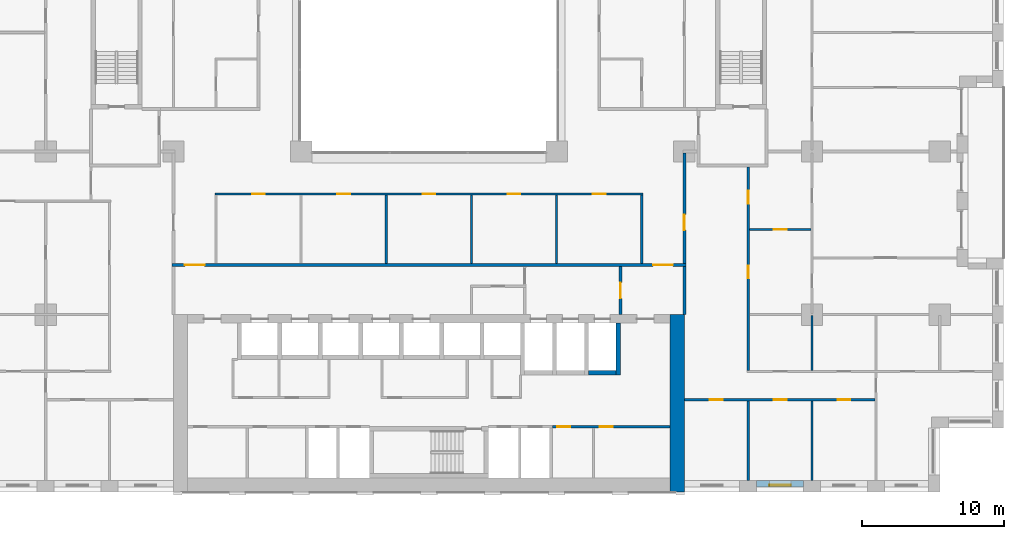
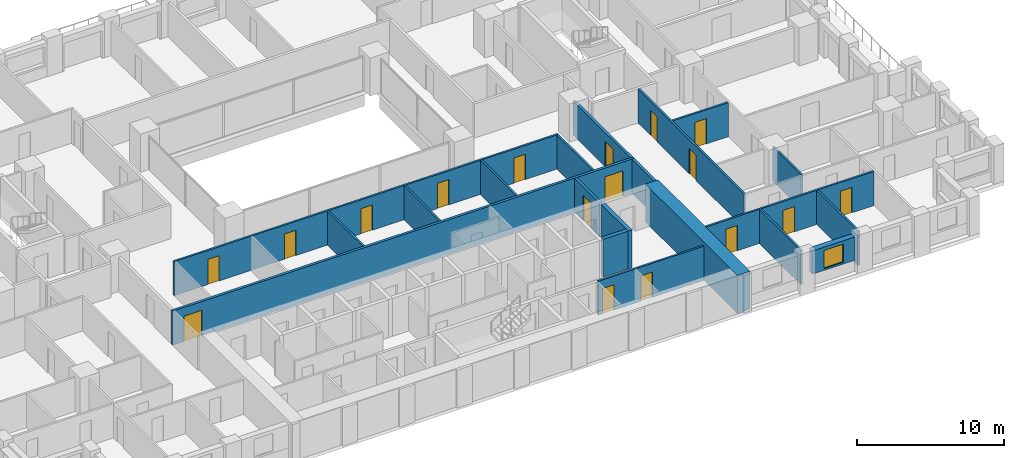
# One storey, part 12 of 19: 20 walls, 17 doors, 1 window, 18 openings.
"""IFC4 building model written with IfcOpenShell, lengths in metres."""

from ifc_helpers import new_model, si_unit, direction, frame, frame_2d, origin, place, context, subcontext, project, spatial, rectangle, extrude, material, layer, layer_set, type_object, element, fill, save


model = new_model("IFC4")

# Units and contexts
model_context = context("Model", 3, precision=1e-05, world=origin(), true_north=direction((0.0, 1.0)))
body_context = subcontext(model_context, "Body", "Model", "MODEL_VIEW")
ifc_project = project(units=[si_unit("LENGTHUNIT", "METRE"), si_unit("AREAUNIT", "SQUARE_METRE"), si_unit("VOLUMEUNIT", "CUBIC_METRE"), si_unit("PLANEANGLEUNIT", "RADIAN"), si_unit("MASSUNIT", "GRAM", prefix="KILO")], contexts=[model_context])

# Site, building, storey
site_placement = place(None, origin())
site = spatial("IfcSite", under=ifc_project, at=site_placement, CompositionType="ELEMENT")
building_placement = place(site_placement, origin())
building = spatial("IfcBuilding", under=site, at=building_placement, Name="Brigalow Station Residences", CompositionType="ELEMENT")
storey_placement = place(building_placement, frame((0.0, 0.0, 19.5)))
storey = spatial("IfcBuildingStorey", under=building, at=storey_placement, Name="L04", CompositionType="ELEMENT", Elevation=19.5)

# Wall, opening, window
ifc_material_1 = material(Name="Clay brick masonry", Category="masonry")
ifc_layer_1 = layer(ifc_material_1, 0.449951171875)
ifc_layer_set_1 = layer_set([ifc_layer_1], Name="BRICK INFILL WALL 450")
wall_type_1 = type_object("IfcWallType", Name="BRICK INFILL WALL 450", PredefinedType="SOLIDWALL", material=ifc_layer_set_1)
wall_1_placement = place(storey_placement, frame((59.10009765625, 0.574951171875, 0.89990234375), z_axis=(0.0, 0.0, 1.0), x_axis=(1.0, 0.0, 0.0)))
wall_1 = element("IfcWall", 1, at=wall_1_placement, inside=storey, type_object=wall_type_1, Name="L04/ewall/W-L04-6", PredefinedType="SOLIDWALL", context=body_context, shape_type="SweptSolid", body=[
    extrude(rectangle(XDim=3.2998046875, YDim=0.449951171875, at=frame_2d((1.64990234375, 0.0))), origin(), (0.0, 0.0, 1.0), 1.93017578125),
])
opening_1_placement = place(wall_1_placement, frame((0.89990234375, 0.0, 0.14990234375)))
opening_1 = element("IfcOpeningElement", 2, at=opening_1_placement, cuts=wall_1, Name="Opening WT-1", PredefinedType="OPENING", context=body_context, shape_type="SweptSolid", body=[
    extrude(rectangle(XDim=1.5, YDim=1.5, at=frame_2d((0.75, 0.75))), frame((0.0, 0.23486328125, 0.0), z_axis=(0.0, -1.0, 0.0), x_axis=(1.0, 0.0, 0.0)), (0.0, 0.0, 1.0), 0.469970703125),
])
ifc_material_2 = material(Name="Anodised aluminium frame with double glazing", Category="aluminium")
window_type = type_object("IfcWindowType", Name="WINDOW 1500x1500", PartitioningType="SINGLE_PANEL", PredefinedType="WINDOW", material=ifc_material_2)
window_placement = place(opening_1_placement, origin())
window = element("IfcWindow", 3, at=window_placement, inside=storey, type_object=window_type, Name="L04/window/W-L04-6", OverallHeight=1.5, OverallWidth=1.5, PartitioningType="SINGLE_PANEL", PredefinedType="WINDOW", context=body_context, shape_type="SweptSolid", body=[
    extrude(rectangle(XDim=1.5, YDim=1.5, at=frame_2d((0.75, 0.75))), frame((0.0, -0.06494140625, 0.0), z_axis=(0.0, -1.0, 0.0), x_axis=(1.0, 0.0, 0.0)), (0.0, 0.0, 1.0), 0.06005859375),
])
fill(opening_1, window)

# Walls
ifc_material_3 = material(Name="Concrete C80", Category="concrete")
ifc_layer_2 = layer(ifc_material_3, 1.0)
ifc_layer_set_2 = layer_set([ifc_layer_2], Name="CORE SHEAR WALL 1000 C80")
wall_type_2 = type_object("IfcWallType", Name="CORE SHEAR WALL 1000 C80", PredefinedType="SHEAR", material=ifc_layer_set_2)
wall_2_placement = place(storey_placement, frame((53.5, 0.0, 0.0), z_axis=(0.0, 0.0, 1.0), x_axis=(0.0, 1.0, 0.0)))
element("IfcWall", 4, at=wall_2_placement, inside=storey, type_object=wall_type_2, Name="CORE WALL OUT-E L04", PredefinedType="SHEAR", context=body_context, shape_type="SweptSolid", body=[
    extrude(rectangle(XDim=12.5, YDim=1.0, at=frame_2d((6.25, 0.0))), origin(), (0.0, 0.0, 1.0), 3.14990234375),
])
ifc_material_4 = material(Name="Concrete C80", Category="concrete")
ifc_layer_3 = layer(ifc_material_4, 0.300048828125)
ifc_layer_set_3 = layer_set([ifc_layer_3], Name="CORE SHEAR WALL 300 C80")
wall_type_3 = type_object("IfcWallType", Name="CORE SHEAR WALL 300 C80", PredefinedType="SHEAR", material=ifc_layer_set_3)
wall_3_placement = place(storey_placement, frame((47.25, 8.39990234375, 0.0), z_axis=(0.0, 0.0, 1.0), x_axis=(1.0, 0.0, 0.0)))
element("IfcWall", 5, at=wall_3_placement, inside=storey, type_object=wall_type_3, Name="CORE WALL SH-SL1-S L04", PredefinedType="SHEAR", context=body_context, shape_type="SweptSolid", body=[
    extrude(rectangle(XDim=1.949951171875, YDim=0.300048828125, at=frame_2d((0.97509765625, 0.0))), origin(), (0.0, 0.0, 1.0), 3.14990234375),
])
wall_4_placement = place(storey_placement, frame((49.35009765625, 8.25, 0.0), z_axis=(0.0, 0.0, 1.0), x_axis=(0.0, 1.0, 0.0)))
element("IfcWall", 6, at=wall_4_placement, inside=storey, type_object=wall_type_3, Name="CORE WALL SH-SL1-E L04", PredefinedType="SHEAR", context=body_context, shape_type="SweptSolid", body=[
    extrude(rectangle(XDim=3.64990234375, YDim=0.300048828125, at=frame_2d((1.824951171875, 0.0))), origin(), (0.0, 0.0, 1.0), 3.14990234375),
])

# Wall, opening, door
ifc_material_5 = material(Name="Concrete blockwork", Category="masonry")
ifc_layer_4 = layer(ifc_material_5, 0.199951171875)
ifc_layer_set_4 = layer_set([ifc_layer_4], Name="FIRE RATED CORE PARTITION 200")
wall_type_4 = type_object("IfcWallType", Name="FIRE RATED CORE PARTITION 200", PredefinedType="PARTITIONING", material=ifc_layer_set_4)
wall_5_placement = place(storey_placement, frame((49.5, 12.5, 0.0), z_axis=(0.0, 0.0, 1.0), x_axis=(0.0, 1.0, 0.0)))
wall_5 = element("IfcWall", 7, at=wall_5_placement, inside=storey, type_object=wall_type_4, Name="PW-5015", PredefinedType="PARTITIONING", context=body_context, shape_type="SweptSolid", body=[
    extrude(rectangle(XDim=3.39990234375, YDim=0.199951171875, at=frame_2d((1.699951171875, 0.0))), origin(), (0.0, 0.0, 1.0), 2.830078125),
])
opening_2_placement = place(wall_5_placement, frame((1.14990234375, 0.0, 0.0)))
opening_2 = element("IfcOpeningElement", 8, at=opening_2_placement, cuts=wall_5, Name="Opening D-5014", PredefinedType="OPENING", context=body_context, shape_type="SweptSolid", body=[
    extrude(rectangle(XDim=1.10009765625, YDim=2.10009765625, at=frame_2d((0.550048828125, 1.050048828125))), frame((0.0, 0.10986328125, 0.0), z_axis=(0.0, -1.0, 0.0), x_axis=(1.0, 0.0, 0.0)), (0.0, 0.0, 1.0), 0.219970703125),
])
ifc_material_6 = material(Name="Steel fire door leaf in steel frame", Category="steel")
door_type_1 = type_object("IfcDoorType", Name="LOBBY DOOR 1100 x 2100 FD60S", OperationType="SINGLE_SWING_LEFT", PredefinedType="DOOR", material=ifc_material_6)
door_1_placement = place(opening_2_placement, origin())
door_1 = element("IfcDoor", 9, at=door_1_placement, inside=storey, type_object=door_type_1, Name="D-5014", OperationType="SINGLE_SWING_LEFT", OverallHeight=2.10009765625, OverallWidth=1.10009765625, PredefinedType="DOOR", context=body_context, shape_type="SweptSolid", body=[
    extrude(rectangle(XDim=1.10009765625, YDim=2.10009765625, at=frame_2d((0.550048828125, 1.050048828125))), frame((0.0, 0.02490234375, 0.0), z_axis=(0.0, -1.0, 0.0), x_axis=(1.0, 0.0, 0.0)), (0.0, 0.0, 1.0), 0.050048828125),
])
fill(opening_2, door_1)

# Wall
wall_6_placement = place(storey_placement, frame((54.0, 12.5, 0.0), z_axis=(0.0, 0.0, 1.0), x_axis=(0.0, 1.0, 0.0)))
element("IfcWall", 10, at=wall_6_placement, inside=storey, type_object=wall_type_4, Name="PW-5016", PredefinedType="PARTITIONING", context=body_context, shape_type="SweptSolid", body=[
    extrude(rectangle(XDim=3.39990234375, YDim=0.199951171875, at=frame_2d((1.699951171875, 0.0))), origin(), (0.0, 0.0, 1.0), 2.830078125),
])

# Wall, openings, doors
ifc_material_7 = material(Name="Plasterboard on steel stud partition", Category="steel")
ifc_layer_5 = layer(ifc_material_7, 0.14990234375)
ifc_layer_set_5 = layer_set([ifc_layer_5], Name="FLAT PARTITION 150")
wall_type_5 = type_object("IfcWallType", Name="FLAT PARTITION 150", PredefinedType="PARTITIONING", material=ifc_layer_set_5)
wall_7_placement = place(storey_placement, frame((20.925048828125, 21.0, 0.0), z_axis=(0.0, 0.0, 1.0), x_axis=(1.0, 0.0, 0.0)))
wall_7 = element("IfcWall", 11, at=wall_7_placement, inside=storey, type_object=wall_type_5, Name="PW-1A01", PredefinedType="PARTITIONING", context=body_context, shape_type="SweptSolid", body=[
    extrude(rectangle(XDim=30.14990234375, YDim=0.14990234375, at=frame_2d((15.074951171875, 0.0))), origin(), (0.0, 0.0, 1.0), 2.830078125),
])
opening_3_placement = place(wall_7_placement, frame((2.625, 0.0, 0.0)))
opening_3 = element("IfcOpeningElement", 12, at=opening_3_placement, cuts=wall_7, Name="Opening D-1A63", PredefinedType="OPENING", context=body_context, shape_type="SweptSolid", body=[
    extrude(rectangle(XDim=0.89990234375, YDim=2.10009765625, at=frame_2d((0.449951171875, 1.050048828125))), frame((0.0, 0.0849609375, 0.0), z_axis=(0.0, -1.0, 0.0), x_axis=(1.0, 0.0, 0.0)), (0.0, 0.0, 1.0), 0.169921875),
])
opening_4_placement = place(wall_7_placement, frame((8.625, 0.0, 0.0)))
opening_4 = element("IfcOpeningElement", 13, at=opening_4_placement, cuts=wall_7, Name="Opening D-1A64", PredefinedType="OPENING", context=body_context, shape_type="SweptSolid", body=[
    extrude(rectangle(XDim=0.89990234375, YDim=2.10009765625, at=frame_2d((0.449951171875, 1.050048828125))), frame((0.0, 0.0849609375, 0.0), z_axis=(0.0, -1.0, 0.0), x_axis=(1.0, 0.0, 0.0)), (0.0, 0.0, 1.0), 0.169921875),
])
opening_5_placement = place(wall_7_placement, frame((14.625, 0.0, 0.0)))
opening_5 = element("IfcOpeningElement", 14, at=opening_5_placement, cuts=wall_7, Name="Opening D-1A65", PredefinedType="OPENING", context=body_context, shape_type="SweptSolid", body=[
    extrude(rectangle(XDim=0.89990234375, YDim=2.10009765625, at=frame_2d((0.449951171875, 1.050048828125))), frame((0.0, 0.0849609375, 0.0), z_axis=(0.0, -1.0, 0.0), x_axis=(1.0, 0.0, 0.0)), (0.0, 0.0, 1.0), 0.169921875),
])
opening_6_placement = place(wall_7_placement, frame((20.625, 0.0, 0.0)))
opening_6 = element("IfcOpeningElement", 15, at=opening_6_placement, cuts=wall_7, Name="Opening D-1A66", PredefinedType="OPENING", context=body_context, shape_type="SweptSolid", body=[
    extrude(rectangle(XDim=0.89990234375, YDim=2.10009765625, at=frame_2d((0.449951171875, 1.050048828125))), frame((0.0, 0.0849609375, 0.0), z_axis=(0.0, -1.0, 0.0), x_axis=(1.0, 0.0, 0.0)), (0.0, 0.0, 1.0), 0.169921875),
])
opening_7_placement = place(wall_7_placement, frame((26.625, 0.0, 0.0)))
opening_7 = element("IfcOpeningElement", 16, at=opening_7_placement, cuts=wall_7, Name="Opening D-1A67", PredefinedType="OPENING", context=body_context, shape_type="SweptSolid", body=[
    extrude(rectangle(XDim=0.89990234375, YDim=2.10009765625, at=frame_2d((0.449951171875, 1.050048828125))), frame((0.0, 0.0849609375, 0.0), z_axis=(0.0, -1.0, 0.0), x_axis=(1.0, 0.0, 0.0)), (0.0, 0.0, 1.0), 0.169921875),
])
ifc_material_8 = material(Name="Solid-core timber door leaf", Category="wood")
door_type_2 = type_object("IfcDoorType", Name="INTERNAL DOOR 900 x 2100", OperationType="SINGLE_SWING_LEFT", PredefinedType="DOOR", material=ifc_material_8)
door_2_placement = place(opening_3_placement, frame((0.89990234375, 0.0, 0.0), z_axis=(0.0, 0.0, 1.0), x_axis=(-1.0, 0.0, 0.0)))
door_2 = element("IfcDoor", 17, at=door_2_placement, inside=storey, type_object=door_type_2, Name="D-1A63", OperationType="SINGLE_SWING_LEFT", OverallHeight=2.10009765625, OverallWidth=0.89990234375, PredefinedType="DOOR", context=body_context, shape_type="SweptSolid", body=[
    extrude(rectangle(XDim=0.89990234375, YDim=2.10009765625, at=frame_2d((0.449951171875, 1.050048828125))), frame((0.0, 0.02490234375, 0.0), z_axis=(0.0, -1.0, 0.0), x_axis=(1.0, 0.0, 0.0)), (0.0, 0.0, 1.0), 0.050048828125),
])
fill(opening_3, door_2)
door_3_placement = place(opening_4_placement, frame((0.89990234375, 0.0, 0.0), z_axis=(0.0, 0.0, 1.0), x_axis=(-1.0, 0.0, 0.0)))
door_3 = element("IfcDoor", 18, at=door_3_placement, inside=storey, type_object=door_type_2, Name="D-1A64", OperationType="SINGLE_SWING_LEFT", OverallHeight=2.10009765625, OverallWidth=0.89990234375, PredefinedType="DOOR", context=body_context, shape_type="SweptSolid", body=[
    extrude(rectangle(XDim=0.89990234375, YDim=2.10009765625, at=frame_2d((0.449951171875, 1.050048828125))), frame((0.0, 0.02490234375, 0.0), z_axis=(0.0, -1.0, 0.0), x_axis=(1.0, 0.0, 0.0)), (0.0, 0.0, 1.0), 0.050048828125),
])
fill(opening_4, door_3)
door_4_placement = place(opening_5_placement, frame((0.89990234375, 0.0, 0.0), z_axis=(0.0, 0.0, 1.0), x_axis=(-1.0, 0.0, 0.0)))
door_4 = element("IfcDoor", 19, at=door_4_placement, inside=storey, type_object=door_type_2, Name="D-1A65", OperationType="SINGLE_SWING_RIGHT", OverallHeight=2.10009765625, OverallWidth=0.89990234375, PredefinedType="DOOR", context=body_context, shape_type="SweptSolid", body=[
    extrude(rectangle(XDim=0.89990234375, YDim=2.10009765625, at=frame_2d((0.449951171875, 1.050048828125))), frame((0.0, 0.02490234375, 0.0), z_axis=(0.0, -1.0, 0.0), x_axis=(1.0, 0.0, 0.0)), (0.0, 0.0, 1.0), 0.050048828125),
])
fill(opening_5, door_4)
door_5_placement = place(opening_6_placement, frame((0.89990234375, 0.0, 0.0), z_axis=(0.0, 0.0, 1.0), x_axis=(-1.0, 0.0, 0.0)))
door_5 = element("IfcDoor", 20, at=door_5_placement, inside=storey, type_object=door_type_2, Name="D-1A66", OperationType="SINGLE_SWING_LEFT", OverallHeight=2.10009765625, OverallWidth=0.89990234375, PredefinedType="DOOR", context=body_context, shape_type="SweptSolid", body=[
    extrude(rectangle(XDim=0.89990234375, YDim=2.10009765625, at=frame_2d((0.449951171875, 1.050048828125))), frame((0.0, 0.02490234375, 0.0), z_axis=(0.0, -1.0, 0.0), x_axis=(1.0, 0.0, 0.0)), (0.0, 0.0, 1.0), 0.050048828125),
])
fill(opening_6, door_5)
door_6_placement = place(opening_7_placement, frame((0.89990234375, 0.0, 0.0), z_axis=(0.0, 0.0, 1.0), x_axis=(-1.0, 0.0, 0.0)))
door_6 = element("IfcDoor", 21, at=door_6_placement, inside=storey, type_object=door_type_2, Name="D-1A67", OperationType="SINGLE_SWING_LEFT", OverallHeight=2.10009765625, OverallWidth=0.89990234375, PredefinedType="DOOR", context=body_context, shape_type="SweptSolid", body=[
    extrude(rectangle(XDim=0.89990234375, YDim=2.10009765625, at=frame_2d((0.449951171875, 1.050048828125))), frame((0.0, 0.02490234375, 0.0), z_axis=(0.0, -1.0, 0.0), x_axis=(1.0, 0.0, 0.0)), (0.0, 0.0, 1.0), 0.050048828125),
])
fill(opening_7, door_6)

wall_8_placement = place(storey_placement, frame((54.0, 6.5, 0.0), z_axis=(0.0, 0.0, 1.0), x_axis=(1.0, 0.0, 0.0)))
wall_8 = element("IfcWall", 22, at=wall_8_placement, inside=storey, type_object=wall_type_5, Name="PW-1A14", PredefinedType="PARTITIONING", context=body_context, shape_type="SweptSolid", body=[
    extrude(rectangle(XDim=13.425048828125, YDim=0.14990234375, at=frame_2d((6.71240234375, 0.0))), origin(), (0.0, 0.0, 1.0), 2.830078125),
])
opening_8_placement = place(wall_8_placement, frame((1.800048828125, 0.0, 0.0)))
opening_8 = element("IfcOpeningElement", 23, at=opening_8_placement, cuts=wall_8, Name="Opening D-1A30", PredefinedType="OPENING", context=body_context, shape_type="SweptSolid", body=[
    extrude(rectangle(XDim=0.89990234375, YDim=2.10009765625, at=frame_2d((0.449951171875, 1.050048828125))), frame((0.0, 0.0849609375, 0.0), z_axis=(0.0, -1.0, 0.0), x_axis=(1.0, 0.0, 0.0)), (0.0, 0.0, 1.0), 0.169921875),
])
opening_9_placement = place(wall_8_placement, frame((6.300048828125, 0.0, 0.0)))
opening_9 = element("IfcOpeningElement", 24, at=opening_9_placement, cuts=wall_8, Name="Opening D-1A31", PredefinedType="OPENING", context=body_context, shape_type="SweptSolid", body=[
    extrude(rectangle(XDim=0.89990234375, YDim=2.10009765625, at=frame_2d((0.449951171875, 1.050048828125))), frame((0.0, 0.0849609375, 0.0), z_axis=(0.0, -1.0, 0.0), x_axis=(1.0, 0.0, 0.0)), (0.0, 0.0, 1.0), 0.169921875),
])
opening_10_placement = place(wall_8_placement, frame((10.800048828125, 0.0, 0.0)))
opening_10 = element("IfcOpeningElement", 25, at=opening_10_placement, cuts=wall_8, Name="Opening D-1A32", PredefinedType="OPENING", context=body_context, shape_type="SweptSolid", body=[
    extrude(rectangle(XDim=0.89990234375, YDim=2.10009765625, at=frame_2d((0.449951171875, 1.050048828125))), frame((0.0, 0.0849609375, 0.0), z_axis=(0.0, -1.0, 0.0), x_axis=(1.0, 0.0, 0.0)), (0.0, 0.0, 1.0), 0.169921875),
])
door_7_placement = place(opening_8_placement, frame((0.89990234375, 0.0, 0.0), z_axis=(0.0, 0.0, 1.0), x_axis=(-1.0, 0.0, 0.0)))
door_7 = element("IfcDoor", 26, at=door_7_placement, inside=storey, type_object=door_type_2, Name="D-1A30", OperationType="SINGLE_SWING_LEFT", OverallHeight=2.10009765625, OverallWidth=0.89990234375, PredefinedType="DOOR", context=body_context, shape_type="SweptSolid", body=[
    extrude(rectangle(XDim=0.89990234375, YDim=2.10009765625, at=frame_2d((0.449951171875, 1.050048828125))), frame((0.0, 0.02490234375, 0.0), z_axis=(0.0, -1.0, 0.0), x_axis=(1.0, 0.0, 0.0)), (0.0, 0.0, 1.0), 0.050048828125),
])
fill(opening_8, door_7)
door_8_placement = place(opening_9_placement, frame((0.89990234375, 0.0, 0.0), z_axis=(0.0, 0.0, 1.0), x_axis=(-1.0, 0.0, 0.0)))
door_8 = element("IfcDoor", 27, at=door_8_placement, inside=storey, type_object=door_type_2, Name="D-1A31", OperationType="SINGLE_SWING_RIGHT", OverallHeight=2.10009765625, OverallWidth=0.89990234375, PredefinedType="DOOR", context=body_context, shape_type="SweptSolid", body=[
    extrude(rectangle(XDim=0.89990234375, YDim=2.10009765625, at=frame_2d((0.449951171875, 1.050048828125))), frame((0.0, 0.02490234375, 0.0), z_axis=(0.0, -1.0, 0.0), x_axis=(1.0, 0.0, 0.0)), (0.0, 0.0, 1.0), 0.050048828125),
])
fill(opening_9, door_8)
door_9_placement = place(opening_10_placement, frame((0.89990234375, 0.0, 0.0), z_axis=(0.0, 0.0, 1.0), x_axis=(-1.0, 0.0, 0.0)))
door_9 = element("IfcDoor", 28, at=door_9_placement, inside=storey, type_object=door_type_2, Name="D-1A32", OperationType="SINGLE_SWING_LEFT", OverallHeight=2.10009765625, OverallWidth=0.89990234375, PredefinedType="DOOR", context=body_context, shape_type="SweptSolid", body=[
    extrude(rectangle(XDim=0.89990234375, YDim=2.10009765625, at=frame_2d((0.449951171875, 1.050048828125))), frame((0.0, 0.02490234375, 0.0), z_axis=(0.0, -1.0, 0.0), x_axis=(1.0, 0.0, 0.0)), (0.0, 0.0, 1.0), 0.050048828125),
])
fill(opening_10, door_9)

# Wall, opening, door
wall_9_placement = place(storey_placement, frame((58.574951171875, 18.5, 0.0), z_axis=(0.0, 0.0, 1.0), x_axis=(1.0, 0.0, 0.0)))
wall_9 = element("IfcWall", 29, at=wall_9_placement, inside=storey, type_object=wall_type_5, Name="PW-1A28", PredefinedType="PARTITIONING", context=body_context, shape_type="SweptSolid", body=[
    extrude(rectangle(XDim=4.35009765625, YDim=0.14990234375, at=frame_2d((2.175048828125, 0.0))), origin(), (0.0, 0.0, 1.0), 2.830078125),
])
opening_11_placement = place(wall_9_placement, frame((1.72509765625, 0.0, 0.0)))
opening_11 = element("IfcOpeningElement", 30, at=opening_11_placement, cuts=wall_9, Name="Opening D-1A40", PredefinedType="OPENING", context=body_context, shape_type="SweptSolid", body=[
    extrude(rectangle(XDim=0.89990234375, YDim=2.10009765625, at=frame_2d((0.449951171875, 1.050048828125))), frame((0.0, 0.0849609375, 0.0), z_axis=(0.0, -1.0, 0.0), x_axis=(1.0, 0.0, 0.0)), (0.0, 0.0, 1.0), 0.169921875),
])
door_10_placement = place(opening_11_placement, origin())
door_10 = element("IfcDoor", 31, at=door_10_placement, inside=storey, type_object=door_type_2, Name="D-1A40", OperationType="SINGLE_SWING_RIGHT", OverallHeight=2.10009765625, OverallWidth=0.89990234375, PredefinedType="DOOR", context=body_context, shape_type="SweptSolid", body=[
    extrude(rectangle(XDim=0.89990234375, YDim=2.10009765625, at=frame_2d((0.449951171875, 1.050048828125))), frame((0.0, 0.02490234375, 0.0), z_axis=(0.0, -1.0, 0.0), x_axis=(1.0, 0.0, 0.0)), (0.0, 0.0, 1.0), 0.050048828125),
])
fill(opening_11, door_10)

# Walls
wall_10_placement = place(storey_placement, frame((51.0, 16.10009765625, 0.0), z_axis=(0.0, 0.0, 1.0), x_axis=(0.0, 1.0, 0.0)))
element("IfcWall", 32, at=wall_10_placement, inside=storey, type_object=wall_type_5, Name="PW-1A40", PredefinedType="PARTITIONING", context=body_context, shape_type="SweptSolid", body=[
    extrude(rectangle(XDim=4.824951171875, YDim=0.14990234375, at=frame_2d((2.41259765625, 0.0))), origin(), (0.0, 0.0, 1.0), 2.830078125),
])
wall_11_placement = place(storey_placement, frame((58.5, 0.800048828125, 0.0), z_axis=(0.0, 0.0, 1.0), x_axis=(0.0, 1.0, 0.0)))
element("IfcWall", 33, at=wall_11_placement, inside=storey, type_object=wall_type_5, Name="PW-1A61", PredefinedType="PARTITIONING", context=body_context, shape_type="SweptSolid", body=[
    extrude(rectangle(XDim=5.625, YDim=0.14990234375, at=frame_2d((2.8125, 0.0))), origin(), (0.0, 0.0, 1.0), 2.830078125),
])

# Wall, openings, doors
wall_12_placement = place(storey_placement, frame((58.5, 8.574951171875, 0.0), z_axis=(0.0, 0.0, 1.0), x_axis=(0.0, 1.0, 0.0)))
wall_12 = element("IfcWall", 34, at=wall_12_placement, inside=storey, type_object=wall_type_5, Name="PW-1A62", PredefinedType="PARTITIONING", context=body_context, shape_type="SweptSolid", body=[
    extrude(rectangle(XDim=14.324951171875, YDim=0.14990234375, at=frame_2d((7.16259765625, 0.0))), origin(), (0.0, 0.0, 1.0), 2.830078125),
])
opening_12_placement = place(wall_12_placement, frame((6.47509765625, 0.0, 0.0)))
opening_12 = element("IfcOpeningElement", 35, at=opening_12_placement, cuts=wall_12, Name="Opening D-1A38", PredefinedType="OPENING", context=body_context, shape_type="SweptSolid", body=[
    extrude(rectangle(XDim=0.89990234375, YDim=2.10009765625, at=frame_2d((0.449951171875, 1.050048828125))), frame((0.0, 0.0849609375, 0.0), z_axis=(0.0, -1.0, 0.0), x_axis=(1.0, 0.0, 0.0)), (0.0, 0.0, 1.0), 0.169921875),
])
opening_13_placement = place(wall_12_placement, frame((11.75, 0.0, 0.0)))
opening_13 = element("IfcOpeningElement", 36, at=opening_13_placement, cuts=wall_12, Name="Opening D-1A39", PredefinedType="OPENING", context=body_context, shape_type="SweptSolid", body=[
    extrude(rectangle(XDim=0.89990234375, YDim=2.10009765625, at=frame_2d((0.449951171875, 1.050048828125))), frame((0.0, 0.0849609375, 0.0), z_axis=(0.0, -1.0, 0.0), x_axis=(1.0, 0.0, 0.0)), (0.0, 0.0, 1.0), 0.169921875),
])
door_11_placement = place(opening_12_placement, frame((0.89990234375, 0.0, 0.0), z_axis=(0.0, 0.0, 1.0), x_axis=(-1.0, 0.0, 0.0)))
door_11 = element("IfcDoor", 37, at=door_11_placement, inside=storey, type_object=door_type_2, Name="D-1A38", OperationType="SINGLE_SWING_LEFT", OverallHeight=2.10009765625, OverallWidth=0.89990234375, PredefinedType="DOOR", context=body_context, shape_type="SweptSolid", body=[
    extrude(rectangle(XDim=0.89990234375, YDim=2.10009765625, at=frame_2d((0.449951171875, 1.050048828125))), frame((0.0, 0.02490234375, 0.0), z_axis=(0.0, -1.0, 0.0), x_axis=(1.0, 0.0, 0.0)), (0.0, 0.0, 1.0), 0.050048828125),
])
fill(opening_12, door_11)
door_12_placement = place(opening_13_placement, frame((0.89990234375, 0.0, 0.0), z_axis=(0.0, 0.0, 1.0), x_axis=(-1.0, 0.0, 0.0)))
door_12 = element("IfcDoor", 38, at=door_12_placement, inside=storey, type_object=door_type_2, Name="D-1A39", OperationType="SINGLE_SWING_LEFT", OverallHeight=2.10009765625, OverallWidth=0.89990234375, PredefinedType="DOOR", context=body_context, shape_type="SweptSolid", body=[
    extrude(rectangle(XDim=0.89990234375, YDim=2.10009765625, at=frame_2d((0.449951171875, 1.050048828125))), frame((0.0, 0.02490234375, 0.0), z_axis=(0.0, -1.0, 0.0), x_axis=(1.0, 0.0, 0.0)), (0.0, 0.0, 1.0), 0.050048828125),
])
fill(opening_13, door_12)

# Walls
wall_13_placement = place(storey_placement, frame((63.0, 0.800048828125, 0.0), z_axis=(0.0, 0.0, 1.0), x_axis=(0.0, 1.0, 0.0)))
element("IfcWall", 39, at=wall_13_placement, inside=storey, type_object=wall_type_5, Name="PW-1A64", PredefinedType="PARTITIONING", context=body_context, shape_type="SweptSolid", body=[
    extrude(rectangle(XDim=5.625, YDim=0.14990234375, at=frame_2d((2.8125, 0.0))), origin(), (0.0, 0.0, 1.0), 2.830078125),
])
wall_14_placement = place(storey_placement, frame((63.0, 8.574951171875, 0.0), z_axis=(0.0, 0.0, 1.0), x_axis=(0.0, 1.0, 0.0)))
element("IfcWall", 40, at=wall_14_placement, inside=storey, type_object=wall_type_5, Name="PW-1A65", PredefinedType="PARTITIONING", context=body_context, shape_type="SweptSolid", body=[
    extrude(rectangle(XDim=3.85009765625, YDim=0.14990234375, at=frame_2d((1.925048828125, 0.0))), origin(), (0.0, 0.0, 1.0), 2.830078125),
])
for number, where, z_axis, x_axis, name in (
    (41, (33.0, 16.10009765625, 0.0), (0.0, 0.0, 1.0), (0.0, 1.0, 0.0), "PW-1A78"),
    (42, (39.0, 16.10009765625, 0.0), (0.0, 0.0, 1.0), (0.0, 1.0, 0.0), "PW-1A79"),
    (43, (45.0, 16.10009765625, 0.0), (0.0, 0.0, 1.0), (0.0, 1.0, 0.0), "PW-1A80"),
):
    element("IfcWall", number, at=place(storey_placement, frame(where, z_axis=z_axis, x_axis=x_axis)), inside=storey, type_object=wall_type_5, Name=name, PredefinedType="PARTITIONING", context=body_context, shape_type="SweptSolid", body=[
        extrude(rectangle(XDim=4.824951171875, YDim=0.14990234375, at=frame_2d((2.41259765625, 0.0))), origin(), (0.0, 0.0, 1.0), 2.830078125),
    ])

# Wall, openings, doors
ifc_material_9 = material(Name="Plasterboard on steel stud partition", Category="steel")
ifc_layer_6 = layer(ifc_material_9, 0.199951171875)
ifc_layer_set_6 = layer_set([ifc_layer_6], Name="PARTY AND CORRIDOR WALL 200")
wall_type_6 = type_object("IfcWallType", Name="PARTY AND CORRIDOR WALL 200", PredefinedType="PARTITIONING", material=ifc_layer_set_6)
wall_15_placement = place(storey_placement, frame((17.89990234375, 16.0, 0.0), z_axis=(0.0, 0.0, 1.0), x_axis=(1.0, 0.0, 0.0)))
wall_15 = element("IfcWall", 44, at=wall_15_placement, inside=storey, type_object=wall_type_6, Name="PW-1A31", PredefinedType="PARTITIONING", context=body_context, shape_type="SweptSolid", body=[
    extrude(rectangle(XDim=36.2001953125, YDim=0.199951171875, at=frame_2d((18.10009765625, 0.0))), origin(), (0.0, 0.0, 1.0), 2.830078125),
])
opening_14_placement = place(wall_15_placement, frame((0.89990234375, 0.0, 0.0)))
opening_14 = element("IfcOpeningElement", 45, at=opening_14_placement, cuts=wall_15, Name="Opening D-1A01", PredefinedType="OPENING", context=body_context, shape_type="SweptSolid", body=[
    extrude(rectangle(XDim=1.39990234375, YDim=2.10009765625, at=frame_2d((0.699951171875, 1.050048828125))), frame((0.0, 0.10986328125, 0.0), z_axis=(0.0, -1.0, 0.0), x_axis=(1.0, 0.0, 0.0)), (0.0, 0.0, 1.0), 0.219970703125),
])
opening_15_placement = place(wall_15_placement, frame((33.89990234375, 0.0, 0.0)))
opening_15 = element("IfcOpeningElement", 46, at=opening_15_placement, cuts=wall_15, Name="Opening D-1A02", PredefinedType="OPENING", context=body_context, shape_type="SweptSolid", body=[
    extrude(rectangle(XDim=1.39990234375, YDim=2.10009765625, at=frame_2d((0.699951171875, 1.050048828125))), frame((0.0, 0.10986328125, 0.0), z_axis=(0.0, -1.0, 0.0), x_axis=(1.0, 0.0, 0.0)), (0.0, 0.0, 1.0), 0.219970703125),
])
ifc_material_10 = material(Name="Solid-core timber door leaf", Category="wood")
door_type_3 = type_object("IfcDoorType", Name="CORRIDOR FIRE DOOR 1400 x 2100 FRL -/60/30", OperationType="DOUBLE_DOOR_SINGLE_SWING", PredefinedType="DOOR", material=ifc_material_10)
door_13_placement = place(opening_14_placement, frame((1.39990234375, 0.0, 0.0), z_axis=(0.0, 0.0, 1.0), x_axis=(-1.0, 0.0, 0.0)))
door_13 = element("IfcDoor", 47, at=door_13_placement, inside=storey, type_object=door_type_3, Name="D-1A01", OperationType="DOUBLE_DOOR_SINGLE_SWING", OverallHeight=2.10009765625, OverallWidth=1.39990234375, PredefinedType="DOOR", context=body_context, shape_type="SweptSolid", body=[
    extrude(rectangle(XDim=1.39990234375, YDim=2.10009765625, at=frame_2d((0.699951171875, 1.050048828125))), frame((0.0, 0.02490234375, 0.0), z_axis=(0.0, -1.0, 0.0), x_axis=(1.0, 0.0, 0.0)), (0.0, 0.0, 1.0), 0.050048828125),
])
fill(opening_14, door_13)
door_14_placement = place(opening_15_placement, frame((1.39990234375, 0.0, 0.0), z_axis=(0.0, 0.0, 1.0), x_axis=(-1.0, 0.0, 0.0)))
door_14 = element("IfcDoor", 48, at=door_14_placement, inside=storey, type_object=door_type_3, Name="D-1A02", OperationType="DOUBLE_DOOR_SINGLE_SWING", OverallHeight=2.10009765625, OverallWidth=1.39990234375, PredefinedType="DOOR", context=body_context, shape_type="SweptSolid", body=[
    extrude(rectangle(XDim=1.39990234375, YDim=2.10009765625, at=frame_2d((0.699951171875, 1.050048828125))), frame((0.0, 0.02490234375, 0.0), z_axis=(0.0, -1.0, 0.0), x_axis=(1.0, 0.0, 0.0)), (0.0, 0.0, 1.0), 0.050048828125),
])
fill(opening_15, door_14)

# Wall, opening, door
wall_16_placement = place(storey_placement, frame((54.0, 16.10009765625, 0.0), z_axis=(0.0, 0.0, 1.0), x_axis=(0.0, 1.0, 0.0)))
wall_16 = element("IfcWall", 49, at=wall_16_placement, inside=storey, type_object=wall_type_6, Name="PW-1A37", PredefinedType="PARTITIONING", context=body_context, shape_type="SweptSolid", body=[
    extrude(rectangle(XDim=7.7998046875, YDim=0.199951171875, at=frame_2d((3.89990234375, 0.0))), origin(), (0.0, 0.0, 1.0), 2.830078125),
])
opening_16_placement = place(wall_16_placement, frame((2.35009765625, 0.0, 0.0)))
opening_16 = element("IfcOpeningElement", 50, at=opening_16_placement, cuts=wall_16, Name="Opening D-1A44", PredefinedType="OPENING", context=body_context, shape_type="SweptSolid", body=[
    extrude(rectangle(XDim=1.10009765625, YDim=2.10009765625, at=frame_2d((0.550048828125, 1.050048828125))), frame((0.0, 0.10986328125, 0.0), z_axis=(0.0, -1.0, 0.0), x_axis=(1.0, 0.0, 0.0)), (0.0, 0.0, 1.0), 0.219970703125),
])
ifc_material_11 = material(Name="Solid-core timber door leaf", Category="wood")
door_type_4 = type_object("IfcDoorType", Name="FLAT ENTRANCE DOOR 1100 x 2100 FRL -/60/30", OperationType="SINGLE_SWING_LEFT", PredefinedType="DOOR", material=ifc_material_11)
door_15_placement = place(opening_16_placement, frame((1.10009765625, 0.0, 0.0), z_axis=(0.0, 0.0, 1.0), x_axis=(-1.0, 0.0, 0.0)))
door_15 = element("IfcDoor", 51, at=door_15_placement, inside=storey, type_object=door_type_4, Name="D-1A44", OperationType="SINGLE_SWING_LEFT", OverallHeight=2.10009765625, OverallWidth=1.10009765625, PredefinedType="DOOR", context=body_context, shape_type="SweptSolid", body=[
    extrude(rectangle(XDim=1.10009765625, YDim=2.10009765625, at=frame_2d((0.550048828125, 1.050048828125))), frame((0.0, 0.02490234375, 0.0), z_axis=(0.0, -1.0, 0.0), x_axis=(1.0, 0.0, 0.0)), (0.0, 0.0, 1.0), 0.050048828125),
])
fill(opening_16, door_15)

# Wall, openings, doors
ifc_material_12 = material(Name="Plasterboard on steel studs", Category="steel")
ifc_layer_7 = layer(ifc_material_12, 0.14990234375)
ifc_layer_set_7 = layer_set([ifc_layer_7], Name="SERVICE ROOM PARTITION 150")
wall_type_7 = type_object("IfcWallType", Name="SERVICE ROOM PARTITION 150", PredefinedType="PARTITIONING", material=ifc_layer_set_7)
wall_17_placement = place(storey_placement, frame((44.699951171875, 4.60009765625, 0.0), z_axis=(0.0, 0.0, 1.0), x_axis=(1.0, 0.0, 0.0)))
wall_17 = element("IfcWall", 52, at=wall_17_placement, inside=storey, type_object=wall_type_7, Name="PW-5020", PredefinedType="PARTITIONING", context=body_context, shape_type="SweptSolid", body=[
    extrude(rectangle(XDim=8.300048828125, YDim=0.14990234375, at=frame_2d((4.14990234375, 0.0))), origin(), (0.0, 0.0, 1.0), 2.830078125),
])
opening_17_placement = place(wall_17_placement, frame((0.35009765625, 0.0, 0.0)))
opening_17 = element("IfcOpeningElement", 53, at=opening_17_placement, cuts=wall_17, Name="Opening D-5026", PredefinedType="OPENING", context=body_context, shape_type="SweptSolid", body=[
    extrude(rectangle(XDim=0.89990234375, YDim=2.10009765625, at=frame_2d((0.449951171875, 1.050048828125))), frame((0.0, 0.0849609375, 0.0), z_axis=(0.0, -1.0, 0.0), x_axis=(1.0, 0.0, 0.0)), (0.0, 0.0, 1.0), 0.169921875),
])
opening_18_placement = place(wall_17_placement, frame((3.35009765625, 0.0, 0.0)))
opening_18 = element("IfcOpeningElement", 54, at=opening_18_placement, cuts=wall_17, Name="Opening D-5075", PredefinedType="OPENING", context=body_context, shape_type="SweptSolid", body=[
    extrude(rectangle(XDim=0.89990234375, YDim=2.10009765625, at=frame_2d((0.449951171875, 1.050048828125))), frame((0.0, 0.0849609375, 0.0), z_axis=(0.0, -1.0, 0.0), x_axis=(1.0, 0.0, 0.0)), (0.0, 0.0, 1.0), 0.169921875),
])
ifc_material_13 = material(Name="Steel door leaf in steel frame", Category="steel")
door_type_5 = type_object("IfcDoorType", Name="SERVICE ROOM DOOR 900 x 2100 FD60", OperationType="SINGLE_SWING_LEFT", PredefinedType="DOOR", material=ifc_material_13)
door_16_placement = place(opening_17_placement, frame((0.89990234375, 0.0, 0.0), z_axis=(0.0, 0.0, 1.0), x_axis=(-1.0, 0.0, 0.0)))
door_16 = element("IfcDoor", 55, at=door_16_placement, inside=storey, type_object=door_type_5, Name="D-5026", OperationType="SINGLE_SWING_RIGHT", OverallHeight=2.10009765625, OverallWidth=0.89990234375, PredefinedType="DOOR", context=body_context, shape_type="SweptSolid", body=[
    extrude(rectangle(XDim=0.89990234375, YDim=2.10009765625, at=frame_2d((0.449951171875, 1.050048828125))), frame((0.0, 0.02490234375, 0.0), z_axis=(0.0, -1.0, 0.0), x_axis=(1.0, 0.0, 0.0)), (0.0, 0.0, 1.0), 0.050048828125),
])
fill(opening_17, door_16)
door_17_placement = place(opening_18_placement, frame((0.89990234375, 0.0, 0.0), z_axis=(0.0, 0.0, 1.0), x_axis=(-1.0, 0.0, 0.0)))
door_17 = element("IfcDoor", 56, at=door_17_placement, inside=storey, type_object=door_type_5, Name="D-5075", OperationType="SINGLE_SWING_RIGHT", OverallHeight=2.10009765625, OverallWidth=0.89990234375, PredefinedType="DOOR", context=body_context, shape_type="SweptSolid", body=[
    extrude(rectangle(XDim=0.89990234375, YDim=2.10009765625, at=frame_2d((0.449951171875, 1.050048828125))), frame((0.0, 0.02490234375, 0.0), z_axis=(0.0, -1.0, 0.0), x_axis=(1.0, 0.0, 0.0)), (0.0, 0.0, 1.0), 0.050048828125),
])
fill(opening_18, door_17)

save(model, "model.ifc")
